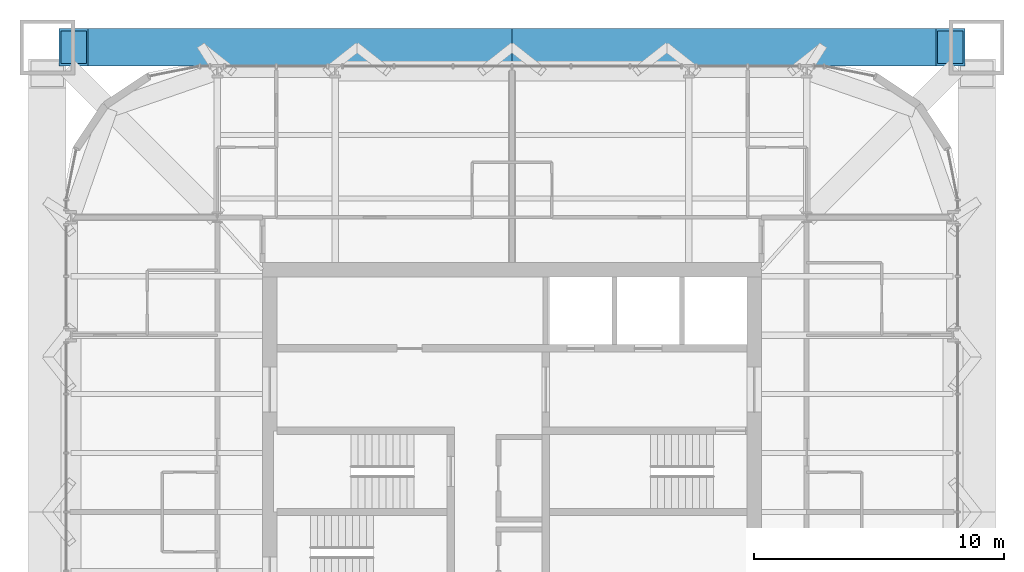
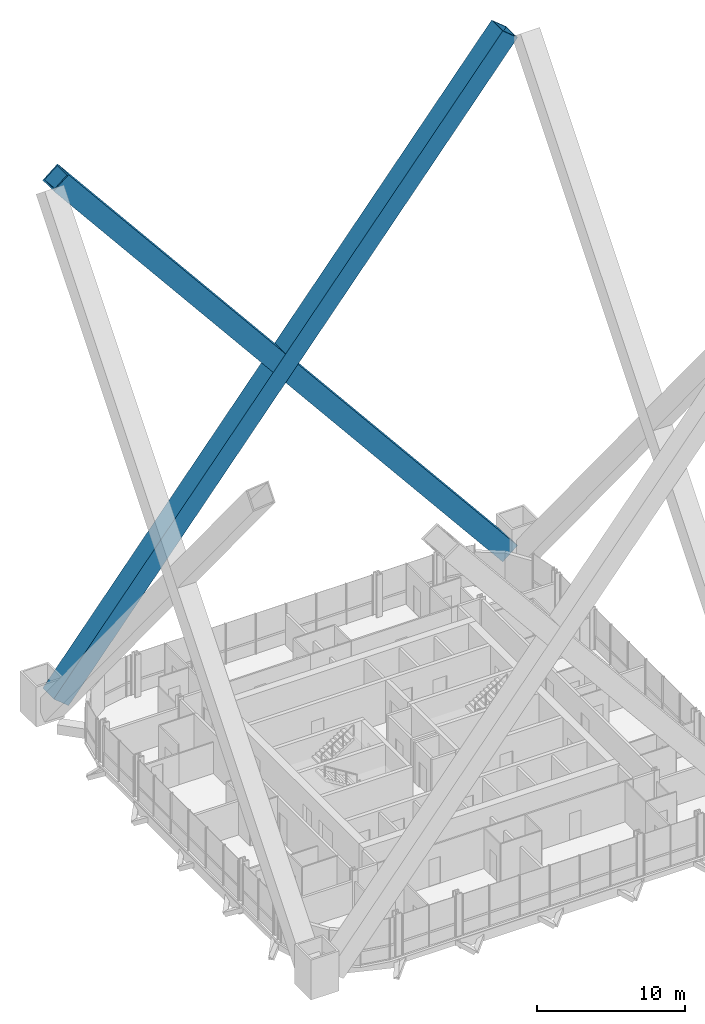
# One storey, part 11 of 23: 2 members.
"""IFC4 building model written with IfcOpenShell, lengths in metres."""

from ifc_helpers import new_model, si_unit, direction, frame, origin, origin_2d, place, context, subcontext, project, spatial, hollow_rectangle, extrude, material, material_profile, profile_set, type_object, element, save


model = new_model("IFC4")

# Units and contexts
model_context = context("Model", 3, precision=1e-05, world=origin(), true_north=direction((0.0, 1.0)))
body_context = subcontext(model_context, "Body", "Model", "MODEL_VIEW")
ifc_project = project(units=[si_unit("LENGTHUNIT", "METRE"), si_unit("AREAUNIT", "SQUARE_METRE"), si_unit("VOLUMEUNIT", "CUBIC_METRE"), si_unit("PLANEANGLEUNIT", "RADIAN"), si_unit("MASSUNIT", "GRAM", prefix="KILO")], contexts=[model_context])

# Site, building, storey
site_placement = place(None, origin())
site = spatial("IfcSite", under=ifc_project, at=site_placement, CompositionType="ELEMENT")
building_placement = place(site_placement, origin())
building = spatial("IfcBuilding", under=site, at=building_placement, Name="Turquesa Mirador Hotel Tower", CompositionType="ELEMENT")
storey_placement = place(building_placement, frame((0.0, 0.0, 226.699951171875)))
storey = spatial("IfcBuildingStorey", under=building, at=storey_placement, Name="L61", CompositionType="ELEMENT", Elevation=226.699951171875)

# Members
ifc_material = material(Name="Steel ASTM A572 Grade 50", Category="steel")
ifc_material_profile = material_profile(ifc_material, hollow_rectangle(XDim=1.5, YDim=1.5, WallThickness=0.10009765625, at=origin_2d()), Name="BOX1500X1500X100")
ifc_profile_set = profile_set([ifc_material_profile], Name="Steel ASTM A572 Grade 50")
member_type = type_object("IfcMemberType", Name="MEGA BRACE BOX1500X1500X100", PredefinedType="BRACE", material=ifc_profile_set)
for number, where, z_axis, x_axis, name in (
    (1, (37.449951171875, 63.60009765625, 1.284423828125), (0.632961323464, 0.0, 0.774183416897), (0.0, 1.0, 0.0), "Mega brace Z4 N 1"),
    (2, (72.550048828125, 63.60009765625, 1.284423828125), (-0.632961323464, 0.0, 0.774183416897), (0.0, -1.0, 0.0), "Mega brace Z4 N 2"),
):
    element("IfcMember", number, at=place(storey_placement, frame(where, z_axis=z_axis, x_axis=x_axis)), inside=storey, type_object=member_type, Name=name, PredefinedType="BRACE", context=body_context, shape_type="SweptSolid", body=[
        extrude(hollow_rectangle(XDim=1.5, YDim=1.5, WallThickness=0.10009765625, at=origin_2d()), origin(), (0.0, 0.0, 1.0), 55.453857421875),
    ])

save(model, "model.ifc")
